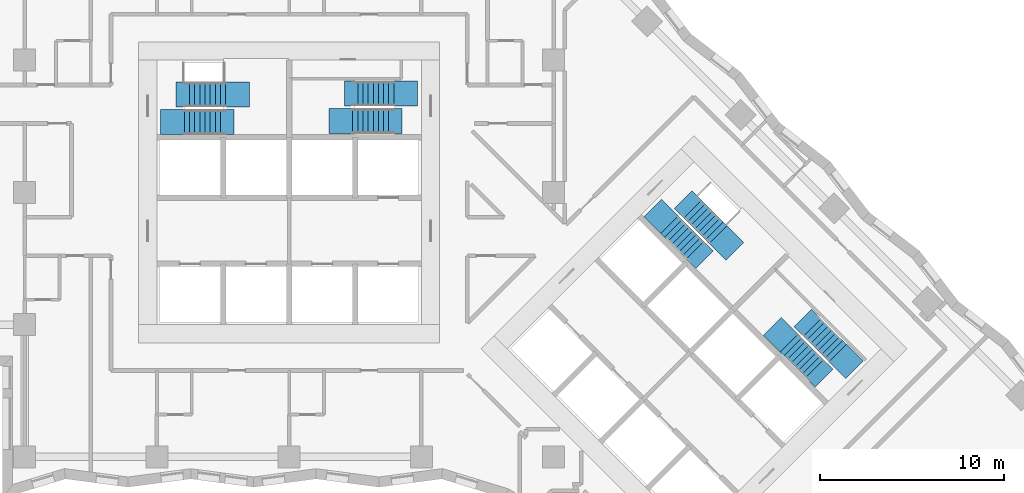
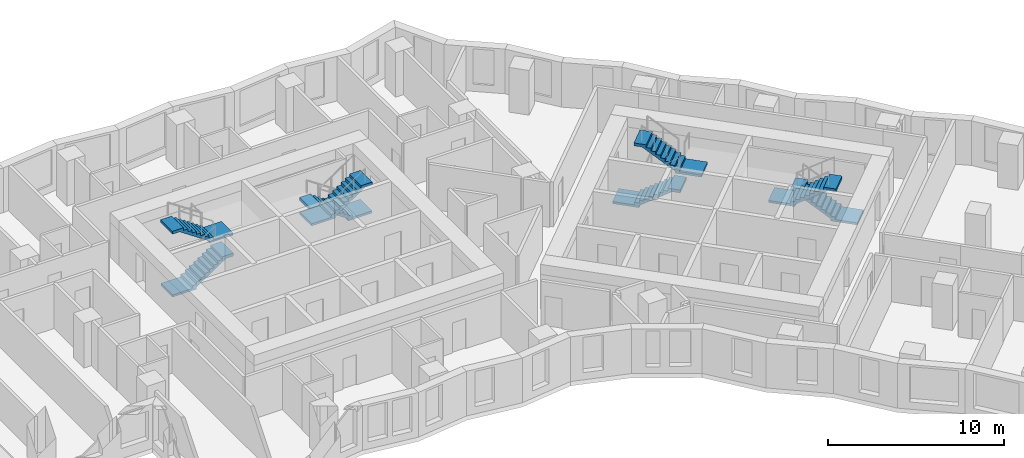
# One storey, part 11 of 14: 8 stair flights, 4 elements without a shape of their own.
"""IFC4 building model written with IfcOpenShell, lengths in metres."""

from ifc_helpers import new_model, si_unit, direction, frame, origin, place, context, subcontext, project, spatial, polyline, outline, extrude, material, type_object, element, aggregate, save


model = new_model("IFC4")

# Units and contexts
model_context = context("Model", 3, precision=1e-05, world=origin(), true_north=direction((0.0, 1.0)))
body_context = subcontext(model_context, "Body", "Model", "MODEL_VIEW")
ifc_project = project(units=[si_unit("LENGTHUNIT", "METRE"), si_unit("AREAUNIT", "SQUARE_METRE"), si_unit("VOLUMEUNIT", "CUBIC_METRE"), si_unit("PLANEANGLEUNIT", "RADIAN"), si_unit("MASSUNIT", "GRAM", prefix="KILO")], contexts=[model_context])

# Site, building, storey
site_placement = place(None, origin())
site = spatial("IfcSite", under=ifc_project, at=site_placement, CompositionType="ELEMENT")
building_placement = place(site_placement, origin())
building = spatial("IfcBuilding", under=site, at=building_placement, Name="Windrow Commons", CompositionType="ELEMENT")
storey_placement = place(building_placement, frame((0.0, 0.0, 44.0)))
storey = spatial("IfcBuildingStorey", under=building, at=storey_placement, Name="L11", CompositionType="ELEMENT", Elevation=44.0)

# Stair, stair flights
ifc_material_1 = material(Name="Concrete C40/50", Category="concrete")
stair_type = type_object("IfcStairType", Name="Core stair", PredefinedType="HALF_TURN_STAIR", material=ifc_material_1)
placement = place(storey_placement, origin())
stair_1 = element("IfcStair", 1, at=placement, inside=storey, type_object=stair_type, Name="L11 Exit stair A1 core A", PredefinedType="HALF_TURN_STAIR")
ifc_material_2 = material(Name="Concrete C40/50", Category="concrete")
stair_flight_type = type_object("IfcStairFlightType", Name="Core stair flight", PredefinedType="STRAIGHT", material=ifc_material_2)
stair_flight_1_placement = place(storey_placement, frame((59.1, 61.425, 0.0), z_axis=(0.0, 0.0, 1.0), x_axis=(1.0, 0.0, 0.0)))
stair_flight_1 = element("IfcStairFlight", 2, at=stair_flight_1_placement, type_object=stair_flight_type, Name="ST-A1 flight 1", NumberOfRisers=9, NumberOfTreads=8, PredefinedType="STRAIGHT", RiserHeight=0.188888889, TreadLength=0.28, context=body_context, shape_type="SweptSolid", body=[
    extrude(outline(polyline([(-1.3, -0.15), (-1.3, 0.0), (0.0, 0.0), (0.0, 0.1889), (0.28, 0.1889), (0.28, 0.3778), (0.56, 0.3778), (0.56, 0.5667), (0.84, 0.5667), (0.84, 0.7556), (1.12, 0.7556), (1.12, 0.9444), (1.4, 0.9444), (1.4, 1.1333), (1.68, 1.1333), (1.68, 1.3222), (1.96, 1.3222), (1.96, 1.5111), (2.24, 1.5111), (2.69, 1.5111), (2.69, 1.3111), (2.24, 1.3111), (2.24, 1.3302), (0.2682, 0.0), (0.2682, -0.15), (-1.3, -0.15)])), frame((0.0, 0.675, 0.0), z_axis=(0.0, -1.0, 0.0), x_axis=(1.0, 0.0, 0.0)), (0.0, 0.0, 1.0), 1.35),
])
stair_flight_2_placement = place(storey_placement, frame((61.34, 62.925, 1.7), z_axis=(0.0, 0.0, 1.0), x_axis=(-1.0, 0.0, 0.0)))
stair_flight_2 = element("IfcStairFlight", 3, at=stair_flight_2_placement, type_object=stair_flight_type, Name="ST-A1 flight 2", NumberOfRisers=9, NumberOfTreads=8, PredefinedType="STRAIGHT", RiserHeight=0.188888889, TreadLength=0.28, context=body_context, shape_type="SweptSolid", body=[
    extrude(outline(polyline([(-1.3, -0.15), (-1.3, 0.0), (0.0, 0.0), (0.0, 0.1889), (0.28, 0.1889), (0.28, 0.3778), (0.56, 0.3778), (0.56, 0.5667), (0.84, 0.5667), (0.84, 0.7556), (1.12, 0.7556), (1.12, 0.9444), (1.4, 0.9444), (1.4, 1.1333), (1.68, 1.1333), (1.68, 1.3222), (1.96, 1.3222), (1.96, 1.5111), (2.24, 1.5111), (2.69, 1.5111), (2.69, 1.3111), (2.24, 1.3111), (2.24, 1.3302), (0.2682, 0.0), (0.2682, -0.15), (-1.3, -0.15)])), frame((0.0, 0.675, 0.0), z_axis=(0.0, -1.0, 0.0), x_axis=(1.0, 0.0, 0.0)), (0.0, 0.0, 1.0), 1.35),
])
aggregate(stair_1, [stair_flight_1, stair_flight_2])

stair_2 = element("IfcStair", 4, at=placement, inside=storey, type_object=stair_type, Name="L11 Exit stair A2 core A", PredefinedType="HALF_TURN_STAIR")
stair_flight_3_placement = place(storey_placement, frame((70.5, 62.98, 0.0), z_axis=(0.0, 0.0, 1.0), x_axis=(-1.0, 0.0, 0.0)))
stair_flight_3 = element("IfcStairFlight", 5, at=stair_flight_3_placement, type_object=stair_flight_type, Name="ST-A2 flight 1", NumberOfRisers=9, NumberOfTreads=8, PredefinedType="STRAIGHT", RiserHeight=0.188888889, TreadLength=0.28, context=body_context, shape_type="SweptSolid", body=[
    extrude(outline(polyline([(-1.3, -0.15), (-1.3, 0.0), (0.0, 0.0), (0.0, 0.1889), (0.28, 0.1889), (0.28, 0.3778), (0.56, 0.3778), (0.56, 0.5667), (0.84, 0.5667), (0.84, 0.7556), (1.12, 0.7556), (1.12, 0.9444), (1.4, 0.9444), (1.4, 1.1333), (1.68, 1.1333), (1.68, 1.3222), (1.96, 1.3222), (1.96, 1.5111), (2.24, 1.5111), (2.69, 1.5111), (2.69, 1.3111), (2.24, 1.3111), (2.24, 1.3302), (0.2682, 0.0), (0.2682, -0.15), (-1.3, -0.15)])), frame((0.0, 0.675, 0.0), z_axis=(0.0, -1.0, 0.0), x_axis=(1.0, 0.0, 0.0)), (0.0, 0.0, 1.0), 1.35),
])
stair_flight_4_placement = place(storey_placement, frame((68.26, 61.48, 1.7), z_axis=(0.0, 0.0, 1.0), x_axis=(1.0, 0.0, 0.0)))
stair_flight_4 = element("IfcStairFlight", 6, at=stair_flight_4_placement, type_object=stair_flight_type, Name="ST-A2 flight 2", NumberOfRisers=9, NumberOfTreads=8, PredefinedType="STRAIGHT", RiserHeight=0.188888889, TreadLength=0.28, context=body_context, shape_type="SweptSolid", body=[
    extrude(outline(polyline([(-1.3, -0.15), (-1.3, 0.0), (0.0, 0.0), (0.0, 0.1889), (0.28, 0.1889), (0.28, 0.3778), (0.56, 0.3778), (0.56, 0.5667), (0.84, 0.5667), (0.84, 0.7556), (1.12, 0.7556), (1.12, 0.9444), (1.4, 0.9444), (1.4, 1.1333), (1.68, 1.1333), (1.68, 1.3222), (1.96, 1.3222), (1.96, 1.5111), (2.24, 1.5111), (2.69, 1.5111), (2.69, 1.3111), (2.24, 1.3111), (2.24, 1.3302), (0.2682, 0.0), (0.2682, -0.15), (-1.3, -0.15)])), frame((0.0, 0.675, 0.0), z_axis=(0.0, -1.0, 0.0), x_axis=(1.0, 0.0, 0.0)), (0.0, 0.0, 1.0), 1.35),
])
aggregate(stair_2, [stair_flight_3, stair_flight_4])

stair_3 = element("IfcStair", 7, at=placement, inside=storey, type_object=stair_type, Name="L11 Exit stair B1 core B", PredefinedType="HALF_TURN_STAIR")
stair_flight_5_placement = place(storey_placement, frame((85.5109, 55.8249, 0.0), z_axis=(0.0, 0.0, 1.0), x_axis=(0.7071067812, -0.7071067812, 0.0)))
stair_flight_5 = element("IfcStairFlight", 8, at=stair_flight_5_placement, type_object=stair_flight_type, Name="ST-B1 flight 1", NumberOfRisers=9, NumberOfTreads=8, PredefinedType="STRAIGHT", RiserHeight=0.188888889, TreadLength=0.28, context=body_context, shape_type="SweptSolid", body=[
    extrude(outline(polyline([(-1.3, -0.15), (-1.3, 0.0), (0.0, 0.0), (0.0, 0.1889), (0.28, 0.1889), (0.28, 0.3778), (0.56, 0.3778), (0.56, 0.5667), (0.84, 0.5667), (0.84, 0.7556), (1.12, 0.7556), (1.12, 0.9444), (1.4, 0.9444), (1.4, 1.1333), (1.68, 1.1333), (1.68, 1.3222), (1.96, 1.3222), (1.96, 1.5111), (2.24, 1.5111), (2.69, 1.5111), (2.69, 1.3111), (2.24, 1.3111), (2.24, 1.3302), (0.2682, 0.0), (0.2682, -0.15), (-1.3, -0.15)])), frame((0.0, 0.675, 0.0), z_axis=(0.0, -1.0, 0.0), x_axis=(1.0, 0.0, 0.0)), (0.0, 0.0, 1.0), 1.35),
])
stair_flight_6_placement = place(storey_placement, frame((88.1555, 55.3017, 1.7), z_axis=(0.0, 0.0, 1.0), x_axis=(-0.7071067812, 0.7071067812, 0.0)))
stair_flight_6 = element("IfcStairFlight", 9, at=stair_flight_6_placement, type_object=stair_flight_type, Name="ST-B1 flight 2", NumberOfRisers=9, NumberOfTreads=8, PredefinedType="STRAIGHT", RiserHeight=0.188888889, TreadLength=0.28, context=body_context, shape_type="SweptSolid", body=[
    extrude(outline(polyline([(-1.3, -0.15), (-1.3, 0.0), (0.0, 0.0), (0.0, 0.1889), (0.28, 0.1889), (0.28, 0.3778), (0.56, 0.3778), (0.56, 0.5667), (0.84, 0.5667), (0.84, 0.7556), (1.12, 0.7556), (1.12, 0.9444), (1.4, 0.9444), (1.4, 1.1333), (1.68, 1.1333), (1.68, 1.3222), (1.96, 1.3222), (1.96, 1.5111), (2.24, 1.5111), (2.69, 1.5111), (2.69, 1.3111), (2.24, 1.3111), (2.24, 1.3302), (0.2682, 0.0), (0.2682, -0.15), (-1.3, -0.15)])), frame((0.0, 0.675, 0.0), z_axis=(0.0, -1.0, 0.0), x_axis=(1.0, 0.0, 0.0)), (0.0, 0.0, 1.0), 1.35),
])
aggregate(stair_3, [stair_flight_5, stair_flight_6])

stair_4 = element("IfcStair", 10, at=placement, inside=storey, type_object=stair_type, Name="L11 Exit stair B2 core B", PredefinedType="HALF_TURN_STAIR")
stair_flight_7_placement = place(storey_placement, frame((94.6715, 48.8635, 0.0), z_axis=(0.0, 0.0, 1.0), x_axis=(-0.7071067812, 0.7071067812, 0.0)))
stair_flight_7 = element("IfcStairFlight", 11, at=stair_flight_7_placement, type_object=stair_flight_type, Name="ST-B2 flight 1", NumberOfRisers=9, NumberOfTreads=8, PredefinedType="STRAIGHT", RiserHeight=0.188888889, TreadLength=0.28, context=body_context, shape_type="SweptSolid", body=[
    extrude(outline(polyline([(-1.3, -0.15), (-1.3, 0.0), (0.0, 0.0), (0.0, 0.1889), (0.28, 0.1889), (0.28, 0.3778), (0.56, 0.3778), (0.56, 0.5667), (0.84, 0.5667), (0.84, 0.7556), (1.12, 0.7556), (1.12, 0.9444), (1.4, 0.9444), (1.4, 1.1333), (1.68, 1.1333), (1.68, 1.3222), (1.96, 1.3222), (1.96, 1.5111), (2.24, 1.5111), (2.69, 1.5111), (2.69, 1.3111), (2.24, 1.3111), (2.24, 1.3302), (0.2682, 0.0), (0.2682, -0.15), (-1.3, -0.15)])), frame((0.0, 0.675, 0.0), z_axis=(0.0, -1.0, 0.0), x_axis=(1.0, 0.0, 0.0)), (0.0, 0.0, 1.0), 1.35),
])
stair_flight_8_placement = place(storey_placement, frame((92.0269, 49.3867, 1.7), z_axis=(0.0, 0.0, 1.0), x_axis=(0.7071067812, -0.7071067812, 0.0)))
stair_flight_8 = element("IfcStairFlight", 12, at=stair_flight_8_placement, type_object=stair_flight_type, Name="ST-B2 flight 2", NumberOfRisers=9, NumberOfTreads=8, PredefinedType="STRAIGHT", RiserHeight=0.188888889, TreadLength=0.28, context=body_context, shape_type="SweptSolid", body=[
    extrude(outline(polyline([(-1.3, -0.15), (-1.3, 0.0), (0.0, 0.0), (0.0, 0.1889), (0.28, 0.1889), (0.28, 0.3778), (0.56, 0.3778), (0.56, 0.5667), (0.84, 0.5667), (0.84, 0.7556), (1.12, 0.7556), (1.12, 0.9444), (1.4, 0.9444), (1.4, 1.1333), (1.68, 1.1333), (1.68, 1.3222), (1.96, 1.3222), (1.96, 1.5111), (2.24, 1.5111), (2.69, 1.5111), (2.69, 1.3111), (2.24, 1.3111), (2.24, 1.3302), (0.2682, 0.0), (0.2682, -0.15), (-1.3, -0.15)])), frame((0.0, 0.675, 0.0), z_axis=(0.0, -1.0, 0.0), x_axis=(1.0, 0.0, 0.0)), (0.0, 0.0, 1.0), 1.35),
])
aggregate(stair_4, [stair_flight_7, stair_flight_8])

save(model, "model.ifc")
